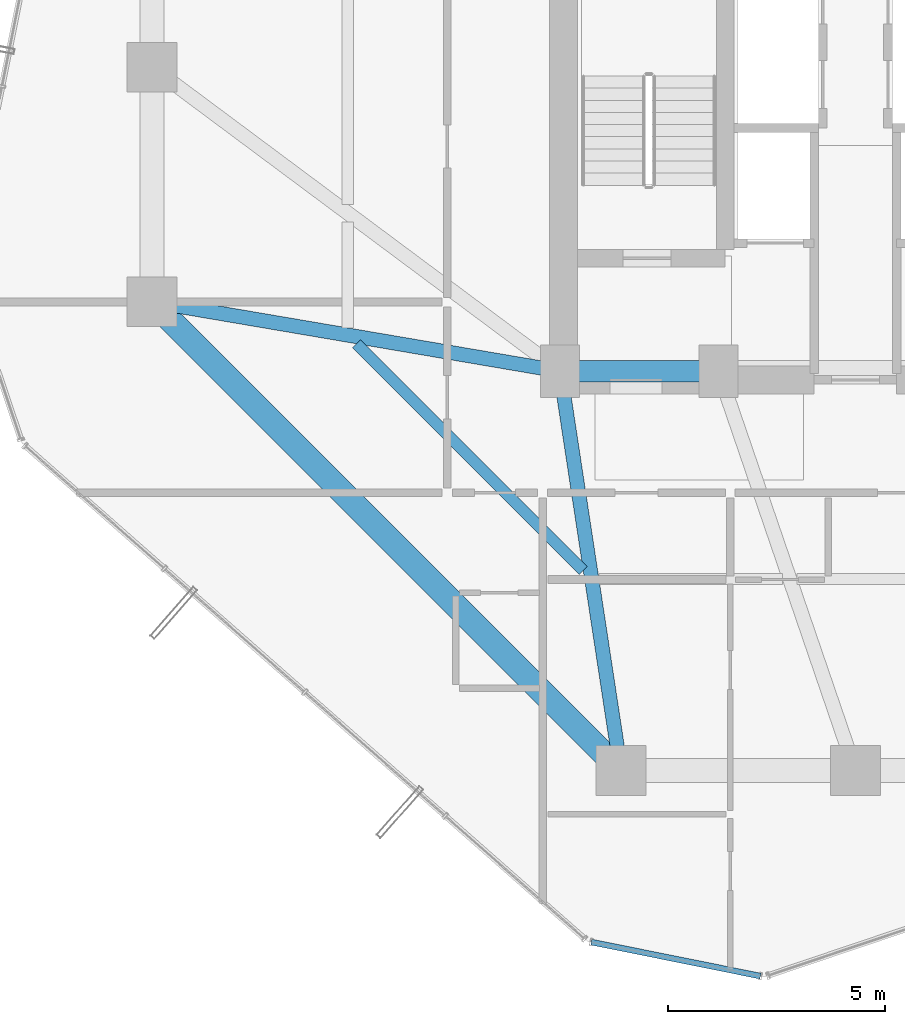
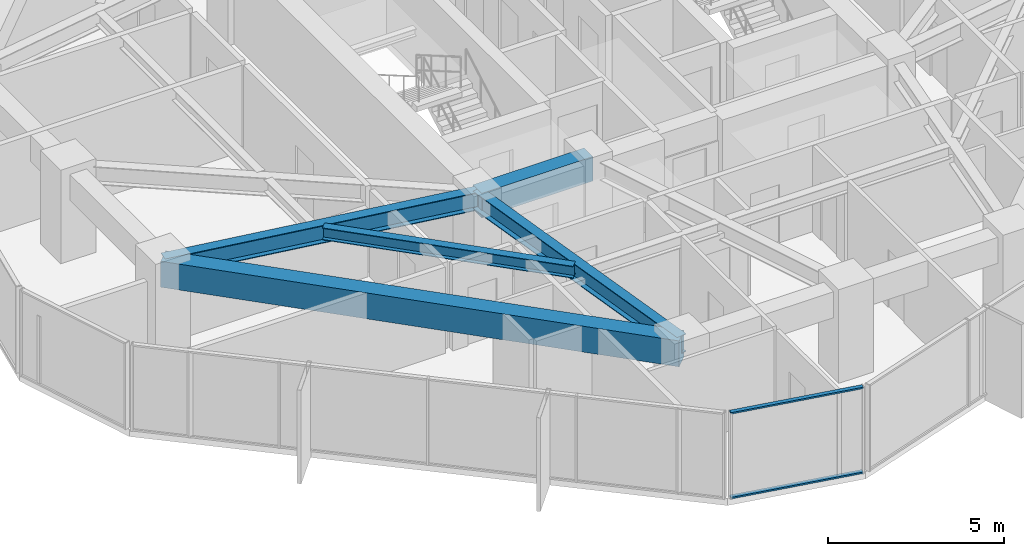
# One storey, part 6 of 32: 5 beams, 2 members, 1 element without a shape of its own.
"""IFC4 building model written with IfcOpenShell, lengths in metres."""

from ifc_helpers import new_model, si_unit, direction, frame, origin, origin_2d, place, context, subcontext, project, spatial, rectangle, hollow_rectangle, i_section, extrude, source, transform, mapped, material, layer, layer_set, material_profile, profile_set, type_object, element, aggregate, save


model = new_model("IFC4")

# Units and contexts
model_context = context("Model", 3, precision=1e-05, world=origin(), true_north=direction((0.0, 1.0)))
body_context = subcontext(model_context, "Body", "Model", "MODEL_VIEW")
ifc_project = project(units=[si_unit("LENGTHUNIT", "METRE"), si_unit("AREAUNIT", "SQUARE_METRE"), si_unit("VOLUMEUNIT", "CUBIC_METRE"), si_unit("PLANEANGLEUNIT", "RADIAN"), si_unit("MASSUNIT", "GRAM", prefix="KILO")], contexts=[model_context])

# Site, building, storey
site_placement = place(None, origin())
site = spatial("IfcSite", under=ifc_project, at=site_placement, CompositionType="ELEMENT")
building_placement = place(site_placement, origin())
building = spatial("IfcBuilding", under=site, at=building_placement, Name="Veraguas Prism Commons", CompositionType="ELEMENT")
storey_placement = place(building_placement, frame((0.0, 0.0, 89.449951171875)))
storey = spatial("IfcBuildingStorey", under=building, at=storey_placement, Name="L24", CompositionType="ELEMENT", Elevation=89.449951171875)

# Beams
ifc_material_1 = material(Name="Concrete C50/60", Category="concrete")
ifc_material_profile_1 = material_profile(ifc_material_1, rectangle(XDim=0.5, YDim=0.85009765625, at=origin_2d()), Name="RC500X850")
ifc_profile_set_1 = profile_set([ifc_material_profile_1], Name="Concrete C50/60")
beam_type_1 = type_object("IfcBeamType", Name="Core Coupling Beam RC 500x850", PredefinedType="BEAM", material=ifc_profile_set_1)
beam_1_placement = place(storey_placement, frame((17.199951171875, 17.0, 2.574951171875), z_axis=(1.0, 0.0, 0.0), x_axis=(0.0, 1.0, 0.0)))
element("IfcBeam", 1, at=beam_1_placement, inside=storey, type_object=beam_type_1, Name="Core Coupling Beam L24-CRS1", PredefinedType="BEAM", context=body_context, shape_type="SweptSolid", body=[
    extrude(rectangle(XDim=0.5, YDim=0.85009765625, at=origin_2d()), origin(), (0.0, 0.0, 1.0), 3.650146484375),
])
ifc_material_2 = material(Name="Steel ASTM A992 Grade 50", Category="steel")
ifc_material_profile_2 = material_profile(ifc_material_2, i_section(OverallWidth=0.260986328125, OverallDepth=0.419921875, WebThickness=0.01171875, FlangeThickness=0.019287109375, at=origin_2d()), Name="W410X114")
ifc_profile_set_2 = profile_set([ifc_material_profile_2], Name="Steel ASTM A992 Grade 50")
beam_type_2 = type_object("IfcBeamType", Name="Lower Floor Joist W410x114", PredefinedType="JOIST", material=ifc_profile_set_2)
beam_2_placement = place(storey_placement, frame((12.510009765625, 17.634033203125, 2.7900390625), z_axis=(0.707090260193, -0.707123301794, 0.0), x_axis=(0.707123301794, 0.707090260193, 0.0)))
element("IfcBeam", 2, at=beam_2_placement, inside=storey, type_object=beam_type_2, Name="Composite Floor Joist L24-JS09", PredefinedType="JOIST", context=body_context, shape_type="SweptSolid", body=[
    extrude(i_section(OverallWidth=0.260986328125, OverallDepth=0.419921875, WebThickness=0.01171875, FlangeThickness=0.019287109375, at=origin_2d()), origin(), (0.0, 0.0, 1.0), 7.388916015625),
])
ifc_material_profile_3 = material_profile(ifc_material_1, rectangle(XDim=0.550048828125, YDim=0.89990234375, at=origin_2d()), Name="RC550X900")
ifc_profile_set_3 = profile_set([ifc_material_profile_3], Name="Concrete C50/60")
beam_type_3 = type_object("IfcBeamType", Name="Perimeter Spandrel Lower RC 550x900", PredefinedType="SPANDREL", material=ifc_profile_set_3)
beam_3_placement = place(storey_placement, frame((7.800048828125, 18.60009765625, 2.550048828125), z_axis=(0.707106781187, -0.707106781187, 0.0), x_axis=(0.707106781187, 0.707106781187, 0.0)))
element("IfcBeam", 3, at=beam_3_placement, inside=storey, type_object=beam_type_3, Name="Perimeter Spandrel Beam L24-SP09", PredefinedType="SPANDREL", context=body_context, shape_type="SweptSolid", body=[
    extrude(rectangle(XDim=0.550048828125, YDim=0.89990234375, at=origin_2d()), origin(), (0.0, 0.0, 1.0), 15.273681640625),
])
ifc_material_profile_4 = material_profile(ifc_material_2, i_section(OverallWidth=0.327880859375, OverallDepth=0.6220703125, WebThickness=0.015380859375, FlangeThickness=0.0244140625, at=origin_2d()), Name="W610X195")
ifc_profile_set_4 = profile_set([ifc_material_profile_4], Name="Steel ASTM A992 Grade 50")
beam_type_4 = type_object("IfcBeamType", Name="Zone 2 Radial Girder W610x195", PredefinedType="BEAM", material=ifc_profile_set_4)
beam_4_placement = place(storey_placement, frame((7.800048828125, 18.60009765625, 2.68896484375), z_axis=(0.985819187151, -0.1678109956, 0.0), x_axis=(0.1678109956, 0.985819187151, 0.0)))
element("IfcBeam", 4, at=beam_4_placement, inside=storey, type_object=beam_type_4, Name="Radial Floor Girder L24-RD09", PredefinedType="BEAM", context=body_context, shape_type="SweptSolid", body=[
    extrude(i_section(OverallWidth=0.327880859375, OverallDepth=0.6220703125, WebThickness=0.015380859375, FlangeThickness=0.0244140625, at=origin_2d()), origin(), (0.0, 0.0, 1.0), 9.53515625),
])
beam_5_placement = place(storey_placement, frame((18.60009765625, 7.800048828125, 2.68896484375), z_axis=(-0.150458162136, 0.98861637729, 0.0), x_axis=(-0.98861637729, -0.150458162136, 0.0)))
element("IfcBeam", 5, at=beam_5_placement, inside=storey, type_object=beam_type_4, Name="Radial Floor Girder L24-RD10", PredefinedType="BEAM", context=body_context, shape_type="SweptSolid", body=[
    extrude(i_section(OverallWidth=0.327880859375, OverallDepth=0.6220703125, WebThickness=0.015380859375, FlangeThickness=0.0244140625, at=origin_2d()), origin(), (0.0, 0.0, 1.0), 9.305908203125),
])

# Curtain wall, members
ifc_material_3 = material(Name="Anodised aluminium EN AW-6063 T6", Category="aluminium")
ifc_layer = layer(ifc_material_3, 0.169921875, Name="Unitised Flush Curtain Wall Zone 2", Category="aluminium")
ifc_layer_set = layer_set([ifc_layer], Name="Anodised aluminium EN AW-6063 T6")
curtain_wall_type = type_object("IfcCurtainWallType", Name="Unitised Flush Curtain Wall Zone 2", PredefinedType="NOTDEFINED", material=ifc_layer_set)
curtain_wall_placement = place(storey_placement, origin())
curtain_wall = element("IfcCurtainWall", 6, at=curtain_wall_placement, inside=storey, type_object=curtain_wall_type, Name="Chamfer Curtain Wall L24-C5", PredefinedType="NOTDEFINED")
ifc_material_profile_5 = material_profile(ifc_material_3, hollow_rectangle(XDim=0.054931640625, YDim=0.135009765625, WallThickness=0.0029296875, at=origin_2d()), Name="AL55X135X3")
ifc_profile_set_5 = profile_set([ifc_material_profile_5], Name="Anodised aluminium EN AW-6063 T6")
member_type = type_object("IfcMemberType", Name="Curtain Wall Transom Standard AL 55x135x3", PredefinedType="USERDEFINED", material=ifc_profile_set_5)
shared_shape = source(origin(), body_context, "Body", "SweptSolid", [
    extrude(hollow_rectangle(XDim=0.054931640625, YDim=0.135009765625, WallThickness=0.0029296875, at=origin_2d()), origin(), (0.0, 0.0, 1.0), 3.97314453125),
])
member_1_placement = place(storey_placement, frame((17.91845703125, 3.852783203125, 0.027587890625), z_axis=(0.980341247543, -0.197309498926, 0.0), x_axis=(0.0, 0.0, 1.0)))
member_1 = element("IfcMember", 7, at=member_1_placement, type_object=member_type, Name="CW-Z2 Transom 1", ObjectType="TRANSOM", PredefinedType="USERDEFINED", context=body_context, shape_type="MappedRepresentation", body=[
    mapped(shared_shape, transform((0.0, 0.0, 0.0), scale=1.0)),
])
member_2_placement = place(storey_placement, frame((17.91845703125, 3.852783203125, 2.97265625), z_axis=(0.980341247543, -0.197309498926, 0.0), x_axis=(0.0, 0.0, 1.0)))
member_2 = element("IfcMember", 8, at=member_2_placement, type_object=member_type, Name="CW-Z2 Transom 2", ObjectType="TRANSOM", PredefinedType="USERDEFINED", context=body_context, shape_type="MappedRepresentation", body=[
    mapped(shared_shape, transform((0.0, 0.0, 0.0), scale=1.0)),
])
aggregate(curtain_wall, [member_1, member_2])

save(model, "model.ifc")
